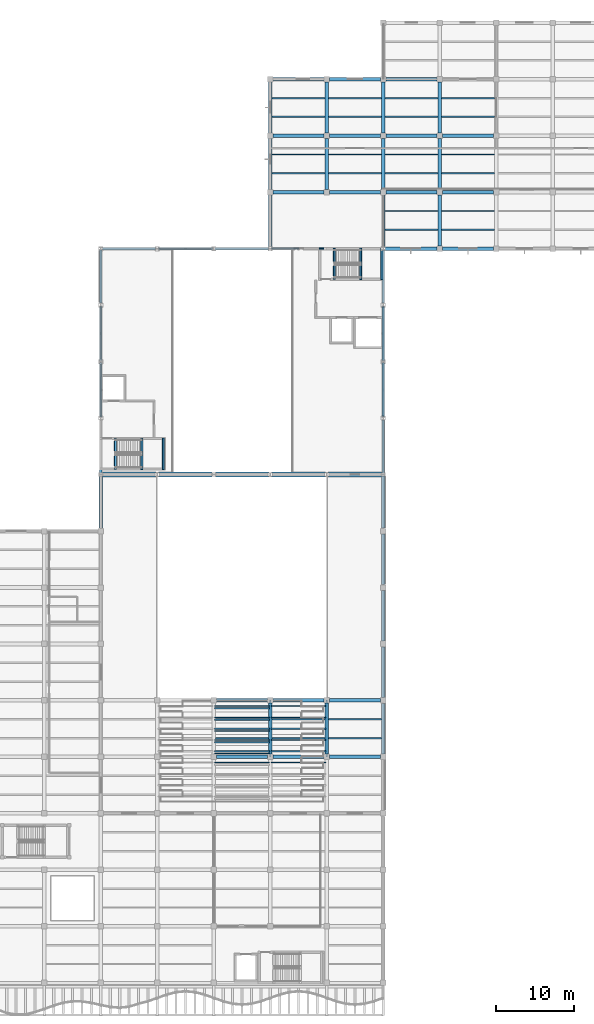
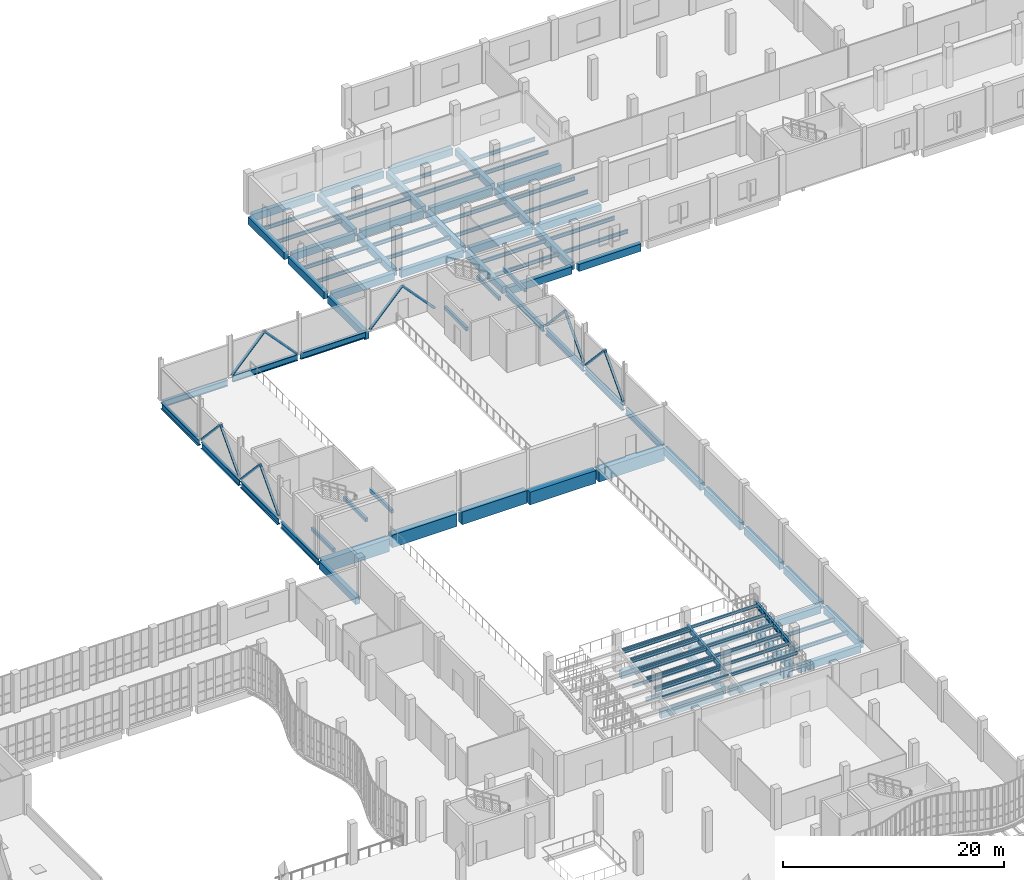
# One storey, part 45 of 108: 105 beams, 12 members.
"""IFC4 building model written with IfcOpenShell, lengths in metres."""

from ifc_helpers import new_model, si_unit, direction, frame, origin, origin_2d, place, context, subcontext, project, spatial, rectangle, hollow_circle, i_section, extrude, material, material_profile, profile_set, type_object, element, save


model = new_model("IFC4")

# Units and contexts
model_context = context("Model", 3, precision=1e-05, world=origin(), true_north=direction((0.0, 1.0)))
body_context = subcontext(model_context, "Body", "Model", "MODEL_VIEW")
ifc_project = project(units=[si_unit("LENGTHUNIT", "METRE"), si_unit("AREAUNIT", "SQUARE_METRE"), si_unit("VOLUMEUNIT", "CUBIC_METRE"), si_unit("PLANEANGLEUNIT", "RADIAN"), si_unit("MASSUNIT", "GRAM", prefix="KILO"), si_unit("THERMODYNAMICTEMPERATUREUNIT", "KELVIN"), si_unit("POWERUNIT", "WATT")], contexts=[model_context])

# Site, building, storey
site_placement = place(None, origin())
site = spatial("IfcSite", under=ifc_project, at=site_placement, CompositionType="ELEMENT")
building_placement = place(site_placement, origin())
building = spatial("IfcBuilding", under=site, at=building_placement, Name="Kaldorven Railside Theatre", CompositionType="ELEMENT")
storey_placement = place(building_placement, frame((0.0, 0.0, 5.39990234375)))
storey = spatial("IfcBuildingStorey", under=building, at=storey_placement, Name="L01", CompositionType="ELEMENT", Elevation=5.39990234375)

# Beams
ifc_material_1 = material(Name="Steel S355", Category="steel")
ifc_material_profile_1 = material_profile(ifc_material_1, i_section(OverallWidth=0.300048828125, OverallDepth=0.699951171875, WebThickness=0.01708984375, FlangeThickness=0.031982421875, at=origin_2d()), Name="HEB 700")
ifc_profile_set_1 = profile_set([ifc_material_profile_1], Name="Steel S355")
beam_type_1 = type_object("IfcBeamType", Name="BM-HEB700", PredefinedType="BEAM", material=ifc_profile_set_1)
for number, where, z_axis, x_axis, name in (
    (1, (87.199951171875, 84.186279296875, -0.64990234375), (0.0, 1.0, 0.0), (-1.0, 0.0, 0.0), "L01 Girder BGY-L01-087-084-72"),
    (2, (123.199951171875, 84.186279296875, -0.64990234375), (0.0, 1.0, 0.0), (-1.0, 0.0, 0.0), "L01 Girder BGY-L01-123-084-72"),
):
    element("IfcBeam", number, at=place(storey_placement, frame(where, z_axis=z_axis, x_axis=x_axis)), inside=storey, type_object=beam_type_1, Name=name, PredefinedType="BEAM", context=body_context, shape_type="SweptSolid", body=[
        extrude(i_section(OverallWidth=0.300048828125, OverallDepth=0.699951171875, WebThickness=0.01708984375, FlangeThickness=0.031982421875, at=origin_2d()), origin(), (0.0, 0.0, 1.0), 6.763671875),
    ])
for number, where, z_axis, x_axis, name in (
    (3, (87.199951171875, 91.449951171875, -0.599853515625), (0.0, 1.0, 0.0), (-1.0, 0.0, 0.0), "L01 Girder BGY-L01-087-091-72"),
    (4, (123.199951171875, 91.449951171875, -0.599853515625), (0.0, 1.0, 0.0), (-1.0, 0.0, 0.0), "L01 Girder BGY-L01-123-091-72"),
    (5, (87.199951171875, 98.550048828125, -0.599853515625), (0.0, 1.0, 0.0), (-1.0, 0.0, 0.0), "L01 Girder BGY-L01-087-098-72"),
    (6, (123.199951171875, 98.550048828125, -0.599853515625), (0.0, 1.0, 0.0), (-1.0, 0.0, 0.0), "L01 Girder BGY-L01-123-098-72"),
):
    element("IfcBeam", number, at=place(storey_placement, frame(where, z_axis=z_axis, x_axis=x_axis)), inside=storey, type_object=beam_type_1, Name=name, PredefinedType="BEAM", context=body_context, shape_type="SweptSolid", body=[
        extrude(i_section(OverallWidth=0.300048828125, OverallDepth=0.699951171875, WebThickness=0.01708984375, FlangeThickness=0.031982421875, at=origin_2d()), origin(), (0.0, 0.0, 1.0), 6.800048828125),
    ])
for number, where, z_axis, x_axis, name in (
    (7, (87.199951171875, 105.85009765625, -0.599853515625), (0.0, 1.0, 0.0), (-1.0, 0.0, 0.0), "L01 Girder BGY-L01-087-105-72"),
    (8, (123.199951171875, 105.85009765625, -0.6298828125), (0.0, 1.0, 0.0), (-1.0, 0.0, 0.0), "L01 Girder BGY-L01-123-105-72"),
):
    element("IfcBeam", number, at=place(storey_placement, frame(where, z_axis=z_axis, x_axis=x_axis)), inside=storey, type_object=beam_type_1, Name=name, PredefinedType="BEAM", context=body_context, shape_type="SweptSolid", body=[
        extrude(i_section(OverallWidth=0.300048828125, OverallDepth=0.699951171875, WebThickness=0.01708984375, FlangeThickness=0.031982421875, at=origin_2d()), origin(), (0.0, 0.0, 1.0), 6.765869140625),
    ])
beam_1_placement = place(storey_placement, frame((87.38623046875, 112.800048828125, -0.599853515625), z_axis=(1.0, 0.0, 0.0), x_axis=(0.0, 1.0, 0.0)))
element("IfcBeam", 9, at=beam_1_placement, inside=storey, type_object=beam_type_1, Name="L01 Girder BGX-L01-087-112", PredefinedType="BEAM", context=body_context, shape_type="SweptSolid", body=[
    extrude(i_section(OverallWidth=0.300048828125, OverallDepth=0.699951171875, WebThickness=0.01708984375, FlangeThickness=0.031982421875, at=origin_2d()), origin(), (0.0, 0.0, 1.0), 6.763671875),
])
for number, where, z_axis, x_axis, name in (
    (10, (94.64990234375, 112.800048828125, -0.349853515625), (1.0, 0.0, 0.0), (0.0, 1.0, 0.0), "L01 Girder BGX-L01-094-112"),
    (11, (101.75, 112.800048828125, -0.349853515625), (1.0, 0.0, 0.0), (0.0, 1.0, 0.0), "L01 Girder BGX-L01-101-112"),
):
    element("IfcBeam", number, at=place(storey_placement, frame(where, z_axis=z_axis, x_axis=x_axis)), inside=storey, type_object=beam_type_1, Name=name, PredefinedType="BEAM", context=body_context, shape_type="SweptSolid", body=[
        extrude(i_section(OverallWidth=0.300048828125, OverallDepth=0.699951171875, WebThickness=0.01708984375, FlangeThickness=0.031982421875, at=origin_2d()), origin(), (0.0, 0.0, 1.0), 6.800048828125),
    ])
ifc_material_profile_2 = material_profile(ifc_material_1, i_section(OverallWidth=0.14990234375, OverallDepth=0.300048828125, WebThickness=0.007080078125, FlangeThickness=0.0107421875, at=origin_2d()), Name="IPE 300")
ifc_profile_set_2 = profile_set([ifc_material_profile_2], Name="Steel S355")
beam_type_2 = type_object("IfcBeamType", Name="BM-IPE300", PredefinedType="JOIST", material=ifc_profile_set_2)
for number, where, z_axis, x_axis, name in (
    (12, (101.7099609375, 47.280029296875, 1.6201171875), (1.0, 0.0, 0.0), (0.0, 1.0, 0.0), "Seating Tier Transverse Bearer TBR-V1D-052"),
    (13, (108.909912109375, 47.280029296875, 1.6201171875), (1.0, 0.0, 0.0), (0.0, 1.0, 0.0), "Seating Tier Transverse Bearer TBR-V1D-053"),
    (14, (101.7099609375, 48.719970703125, 1.800048828125), (1.0, 0.0, 0.0), (0.0, 1.0, 0.0), "Seating Tier Transverse Bearer TBR-V1D-062"),
    (15, (108.909912109375, 48.719970703125, 1.800048828125), (1.0, 0.0, 0.0), (0.0, 1.0, 0.0), "Seating Tier Transverse Bearer TBR-V1D-063"),
    (16, (101.7099609375, 50.159912109375, 1.97998046875), (1.0, 0.0, 0.0), (0.0, 1.0, 0.0), "Seating Tier Transverse Bearer TBR-V1D-072"),
    (17, (108.909912109375, 50.159912109375, 1.97998046875), (1.0, 0.0, 0.0), (0.0, 1.0, 0.0), "Seating Tier Transverse Bearer TBR-V1D-073"),
    (18, (101.7099609375, 51.60009765625, 2.16015625), (1.0, 0.0, 0.0), (0.0, 1.0, 0.0), "Seating Tier Transverse Bearer TBR-V1D-082"),
    (19, (108.909912109375, 51.60009765625, 2.16015625), (1.0, 0.0, 0.0), (0.0, 1.0, 0.0), "Seating Tier Transverse Bearer TBR-V1D-083"),
    (20, (101.7099609375, 53.0400390625, 2.340087890625), (1.0, 0.0, 0.0), (0.0, 1.0, 0.0), "Seating Tier Transverse Bearer TBR-V1D-092"),
    (21, (108.909912109375, 53.0400390625, 2.340087890625), (1.0, 0.0, 0.0), (0.0, 1.0, 0.0), "Seating Tier Transverse Bearer TBR-V1D-093"),
    (22, (101.7099609375, 54.47998046875, 2.52001953125), (1.0, 0.0, 0.0), (0.0, 1.0, 0.0), "Seating Tier Transverse Bearer TBR-V1D-102"),
    (23, (108.909912109375, 54.47998046875, 2.52001953125), (1.0, 0.0, 0.0), (0.0, 1.0, 0.0), "Seating Tier Transverse Bearer TBR-V1D-103"),
):
    element("IfcBeam", number, at=place(storey_placement, frame(where, z_axis=z_axis, x_axis=x_axis)), inside=storey, type_object=beam_type_2, Name=name, PredefinedType="JOIST", context=body_context, shape_type="SweptSolid", body=[
        extrude(i_section(OverallWidth=0.14990234375, OverallDepth=0.300048828125, WebThickness=0.007080078125, FlangeThickness=0.0107421875, at=origin_2d()), origin(), (0.0, 0.0, 1.0), 6.97998046875),
    ])
ifc_material_profile_3 = material_profile(ifc_material_1, i_section(OverallWidth=0.169921875, OverallDepth=0.360107421875, WebThickness=0.008056640625, FlangeThickness=0.0126953125, at=origin_2d()), Name="IPE 360")
ifc_profile_set_3 = profile_set([ifc_material_profile_3], Name="Steel S355")
beam_type_3 = type_object("IfcBeamType", Name="BM-IPE360", PredefinedType="JOIST", material=ifc_profile_set_3)
for number, where, z_axis, x_axis, name in (
    (24, (101.7099609375, 48.431884765625, 1.77001953125), (1.0, 0.0, 0.0), (0.0, 1.0, 0.0), "Seating Tier Front Step Bearer TBF-V1D-06"),
    (25, (101.7099609375, 49.8720703125, 1.9501953125), (1.0, 0.0, 0.0), (0.0, 1.0, 0.0), "Seating Tier Front Step Bearer TBF-V1D-07"),
    (26, (101.7099609375, 51.31201171875, 2.130126953125), (1.0, 0.0, 0.0), (0.0, 1.0, 0.0), "Seating Tier Front Step Bearer TBF-V1D-08"),
    (27, (101.7099609375, 52.751953125, 2.31005859375), (1.0, 0.0, 0.0), (0.0, 1.0, 0.0), "Seating Tier Front Step Bearer TBF-V1D-09"),
    (28, (101.7099609375, 54.19189453125, 2.489990234375), (1.0, 0.0, 0.0), (0.0, 1.0, 0.0), "Seating Tier Front Step Bearer TBF-V1D-10"),
):
    element("IfcBeam", number, at=place(storey_placement, frame(where, z_axis=z_axis, x_axis=x_axis)), inside=storey, type_object=beam_type_3, Name=name, PredefinedType="JOIST", context=body_context, shape_type="SweptSolid", body=[
        extrude(i_section(OverallWidth=0.169921875, OverallDepth=0.360107421875, WebThickness=0.008056640625, FlangeThickness=0.0126953125, at=origin_2d()), origin(), (0.0, 0.0, 1.0), 6.97998046875),
    ])
ifc_material_profile_4 = material_profile(ifc_material_1, i_section(OverallWidth=0.179931640625, OverallDepth=0.39990234375, WebThickness=0.008544921875, FlangeThickness=0.013427734375, at=origin_2d()), Name="IPE 400")
ifc_profile_set_4 = profile_set([ifc_material_profile_4], Name="Steel S355")
beam_type_4 = type_object("IfcBeamType", Name="BM-IPE400", PredefinedType="JOIST", material=ifc_profile_set_4)
for number, where, z_axis, x_axis, name in (
    (29, (101.824951171875, 50.39990234375, -0.5), (1.0, 0.0, 0.0), (0.0, 1.0, 0.0), "L01 Secondary Floor Joist JG-L01-101-0504"),
    (30, (101.824951171875, 52.800048828125, -0.5), (1.0, 0.0, 0.0), (0.0, 1.0, 0.0), "L01 Secondary Floor Joist JG-L01-101-0528"),
    (31, (109.02490234375, 50.39990234375, -0.5), (1.0, 0.0, 0.0), (0.0, 1.0, 0.0), "L01 Secondary Floor Joist JG-L01-108-0504"),
    (32, (109.02490234375, 52.800048828125, -0.5), (1.0, 0.0, 0.0), (0.0, 1.0, 0.0), "L01 Secondary Floor Joist JG-L01-108-0528"),
    (33, (116.22509765625, 50.39990234375, -0.5), (1.0, 0.0, 0.0), (0.0, 1.0, 0.0), "L01 Secondary Floor Joist JG-L01-116-0504"),
    (34, (116.22509765625, 52.800048828125, -0.5), (1.0, 0.0, 0.0), (0.0, 1.0, 0.0), "L01 Secondary Floor Joist JG-L01-116-0528"),
    (35, (123.425048828125, 115.199951171875, -0.47998046875), (1.0, 0.0, 0.0), (0.0, 1.0, 0.0), "L01 Secondary Floor Joist JG-L01-123-1152"),
    (36, (123.425048828125, 117.60009765625, -0.47998046875), (1.0, 0.0, 0.0), (0.0, 1.0, 0.0), "L01 Secondary Floor Joist JG-L01-123-1176"),
    (37, (130.625, 115.199951171875, -0.47998046875), (1.0, 0.0, 0.0), (0.0, 1.0, 0.0), "L01 Secondary Floor Joist JG-L01-130-1152"),
    (38, (130.625, 117.60009765625, -0.47998046875), (1.0, 0.0, 0.0), (0.0, 1.0, 0.0), "L01 Secondary Floor Joist JG-L01-130-1176"),
    (39, (109.02490234375, 122.39990234375, -0.47998046875), (1.0, 0.0, 0.0), (0.0, 1.0, 0.0), "L01 Secondary Floor Joist JG-L01-108-1224"),
    (40, (109.02490234375, 124.800048828125, -0.47998046875), (1.0, 0.0, 0.0), (0.0, 1.0, 0.0), "L01 Secondary Floor Joist JG-L01-108-1248"),
    (41, (116.22509765625, 122.39990234375, -0.47998046875), (1.0, 0.0, 0.0), (0.0, 1.0, 0.0), "L01 Secondary Floor Joist JG-L01-116-1224"),
    (42, (116.22509765625, 124.800048828125, -0.47998046875), (1.0, 0.0, 0.0), (0.0, 1.0, 0.0), "L01 Secondary Floor Joist JG-L01-116-1248"),
    (43, (123.425048828125, 122.39990234375, -0.47998046875), (1.0, 0.0, 0.0), (0.0, 1.0, 0.0), "L01 Secondary Floor Joist JG-L01-123-1224"),
    (44, (123.425048828125, 124.800048828125, -0.47998046875), (1.0, 0.0, 0.0), (0.0, 1.0, 0.0), "L01 Secondary Floor Joist JG-L01-123-1248"),
    (45, (130.625, 122.39990234375, -0.47998046875), (1.0, 0.0, 0.0), (0.0, 1.0, 0.0), "L01 Secondary Floor Joist JG-L01-130-1224"),
    (46, (130.625, 124.800048828125, -0.47998046875), (1.0, 0.0, 0.0), (0.0, 1.0, 0.0), "L01 Secondary Floor Joist JG-L01-130-1248"),
    (47, (109.02490234375, 129.60009765625, -0.47998046875), (1.0, 0.0, 0.0), (0.0, 1.0, 0.0), "L01 Secondary Floor Joist JG-L01-108-1296"),
    (48, (109.02490234375, 132.0, -0.47998046875), (1.0, 0.0, 0.0), (0.0, 1.0, 0.0), "L01 Secondary Floor Joist JG-L01-108-1320"),
    (49, (116.22509765625, 129.60009765625, -0.47998046875), (1.0, 0.0, 0.0), (0.0, 1.0, 0.0), "L01 Secondary Floor Joist JG-L01-116-1296"),
    (50, (116.22509765625, 132.0, -0.47998046875), (1.0, 0.0, 0.0), (0.0, 1.0, 0.0), "L01 Secondary Floor Joist JG-L01-116-1320"),
    (51, (123.425048828125, 129.60009765625, -0.47998046875), (1.0, 0.0, 0.0), (0.0, 1.0, 0.0), "L01 Secondary Floor Joist JG-L01-123-1296"),
    (52, (123.425048828125, 132.0, -0.47998046875), (1.0, 0.0, 0.0), (0.0, 1.0, 0.0), "L01 Secondary Floor Joist JG-L01-123-1320"),
    (53, (130.625, 129.60009765625, -0.47998046875), (1.0, 0.0, 0.0), (0.0, 1.0, 0.0), "L01 Secondary Floor Joist JG-L01-130-1296"),
    (54, (130.625, 132.0, -0.47998046875), (1.0, 0.0, 0.0), (0.0, 1.0, 0.0), "L01 Secondary Floor Joist JG-L01-130-1320"),
):
    element("IfcBeam", number, at=place(storey_placement, frame(where, z_axis=z_axis, x_axis=x_axis)), inside=storey, type_object=beam_type_4, Name=name, PredefinedType="JOIST", context=body_context, shape_type="SweptSolid", body=[
        extrude(i_section(OverallWidth=0.179931640625, OverallDepth=0.39990234375, WebThickness=0.008544921875, FlangeThickness=0.013427734375, at=origin_2d()), origin(), (0.0, 0.0, 1.0), 6.75),
    ])
ifc_material_profile_5 = material_profile(ifc_material_1, i_section(OverallWidth=0.219970703125, OverallDepth=0.60009765625, WebThickness=0.011962890625, FlangeThickness=0.01904296875, at=origin_2d()), Name="IPE 600")
ifc_profile_set_5 = profile_set([ifc_material_profile_5], Name="Steel S355")
beam_type_5 = type_object("IfcBeamType", Name="BM-IPE600", PredefinedType="USERDEFINED", material=ifc_profile_set_5)
for number, where, z_axis, x_axis, name in (
    (55, (108.800048828125, 48.0, 1.52001953125), (0.0, 0.992275288289, 0.124055440233), (-1.0, 0.0, 0.0), "Auditorium Raker Girder RKG-V1D-32"),
    (56, (116.0, 48.0, 1.52001953125), (0.0, 0.992275288289, 0.124055440233), (-1.0, 0.0, 0.0), "Auditorium Raker Girder RKG-V1D-42"),
):
    element("IfcBeam", number, at=place(storey_placement, frame(where, z_axis=z_axis, x_axis=x_axis)), inside=storey, type_object=beam_type_5, Name=name, ObjectType="RAKER BEAM", PredefinedType="USERDEFINED", context=body_context, shape_type="SweptSolid", body=[
        extrude(i_section(OverallWidth=0.219970703125, OverallDepth=0.60009765625, WebThickness=0.011962890625, FlangeThickness=0.01904296875, at=origin_2d()), origin(), (0.0, 0.0, 1.0), 7.256103515625),
    ])
ifc_material_2 = material(Name="Concrete C40/50", Category="concrete")
ifc_material_profile_6 = material_profile(ifc_material_2, rectangle(XDim=0.25, YDim=0.39990234375, at=origin_2d()), Name="RC 250x400")
ifc_profile_set_6 = profile_set([ifc_material_profile_6], Name="Concrete C40/50")
beam_type_6 = type_object("IfcBeamType", Name="BM-RC250x400", PredefinedType="LINTEL", material=ifc_profile_set_6)
beam_2_placement = place(storey_placement, frame((89.050048828125, 84.669921875, -0.344970703125), z_axis=(0.0, 1.0, 0.0), x_axis=(-1.0, 0.0, 0.0)))
element("IfcBeam", 57, at=beam_2_placement, inside=storey, type_object=beam_type_6, Name="Stair ST-05 L01 Landing Trimmer Beam", PredefinedType="LINTEL", context=body_context, shape_type="SweptSolid", body=[
    extrude(rectangle(XDim=0.25, YDim=0.39990234375, at=origin_2d()), origin(), (0.0, 0.0, 1.0), 3.9599609375),
])
for number, where, z_axis, x_axis, name in (
    (58, (92.43505859375, 84.639892578125, 1.85009765625), (0.0, 1.0, 0.0), (-1.0, 0.0, 0.0), "Stair ST-05 L01 Half-Landing Bearer"),
    (59, (95.1298828125, 84.639892578125, 1.85009765625), (0.0, 1.0, 0.0), (-1.0, 0.0, 0.0), "Stair ST-05 L01 Half-Landing Bearer"),
):
    element("IfcBeam", number, at=place(storey_placement, frame(where, z_axis=z_axis, x_axis=x_axis)), inside=storey, type_object=beam_type_6, Name=name, PredefinedType="LINTEL", context=body_context, shape_type="SweptSolid", body=[
        extrude(rectangle(XDim=0.25, YDim=0.39990234375, at=origin_2d()), origin(), (0.0, 0.0, 1.0), 4.02001953125),
    ])
beam_3_placement = place(storey_placement, frame((116.949951171875, 108.8701171875, -0.344970703125), z_axis=(0.0, 1.0, 0.0), x_axis=(-1.0, 0.0, 0.0)))
element("IfcBeam", 60, at=beam_3_placement, inside=storey, type_object=beam_type_6, Name="Stair ST-06 L01 Landing Trimmer Beam", PredefinedType="LINTEL", context=body_context, shape_type="SweptSolid", body=[
    extrude(rectangle(XDim=0.25, YDim=0.39990234375, at=origin_2d()), origin(), (0.0, 0.0, 1.0), 3.9599609375),
])
for number, where, z_axis, x_axis, name in (
    (61, (120.3349609375, 108.840087890625, 1.85009765625), (0.0, 1.0, 0.0), (-1.0, 0.0, 0.0), "Stair ST-06 L01 Half-Landing Bearer"),
    (62, (123.030029296875, 108.840087890625, 1.85009765625), (0.0, 1.0, 0.0), (-1.0, 0.0, 0.0), "Stair ST-06 L01 Half-Landing Bearer"),
):
    element("IfcBeam", number, at=place(storey_placement, frame(where, z_axis=z_axis, x_axis=x_axis)), inside=storey, type_object=beam_type_6, Name=name, PredefinedType="LINTEL", context=body_context, shape_type="SweptSolid", body=[
        extrude(rectangle(XDim=0.25, YDim=0.39990234375, at=origin_2d()), origin(), (0.0, 0.0, 1.0), 4.02001953125),
    ])
ifc_material_profile_7 = material_profile(ifc_material_2, rectangle(XDim=0.449951171875, YDim=0.800048828125, at=origin_2d()), Name="RC 450x800")
ifc_profile_set_7 = profile_set([ifc_material_profile_7], Name="Concrete C40/50")
beam_type_7 = type_object("IfcBeamType", Name="BM-RC450x800", PredefinedType="BEAM", material=ifc_profile_set_7)
for number, where, z_axis, x_axis, name in (
    (63, (101.949951171875, 48.0, -0.699951171875), (1.0, 0.0, 0.0), (0.0, 1.0, 0.0), "L01 Girder BGX-L01-101-048"),
    (64, (109.14990234375, 48.0, -0.699951171875), (1.0, 0.0, 0.0), (0.0, 1.0, 0.0), "L01 Girder BGX-L01-108-048"),
    (65, (108.800048828125, 48.35009765625, -0.699951171875), (0.0, 1.0, 0.0), (-1.0, 0.0, 0.0), "L01 Girder BGY-L01-108-048-72"),
):
    element("IfcBeam", number, at=place(storey_placement, frame(where, z_axis=z_axis, x_axis=x_axis)), inside=storey, type_object=beam_type_7, Name=name, PredefinedType="BEAM", context=body_context, shape_type="SweptSolid", body=[
        extrude(rectangle(XDim=0.449951171875, YDim=0.800048828125, at=origin_2d()), origin(), (0.0, 0.0, 1.0), 6.5),
    ])
beam_4_placement = place(storey_placement, frame((116.35009765625, 48.0, -0.699951171875), z_axis=(1.0, 0.0, 0.0), x_axis=(0.0, 1.0, 0.0)))
element("IfcBeam", 66, at=beam_4_placement, inside=storey, type_object=beam_type_7, Name="L01 Girder BGX-L01-116-048", PredefinedType="BEAM", context=body_context, shape_type="SweptSolid", body=[
    extrude(rectangle(XDim=0.449951171875, YDim=0.800048828125, at=origin_2d()), origin(), (0.0, 0.0, 1.0), 6.474853515625),
])
beam_5_placement = place(storey_placement, frame((116.0, 48.35009765625, -0.699951171875), z_axis=(0.0, 1.0, 0.0), x_axis=(-1.0, 0.0, 0.0)))
element("IfcBeam", 67, at=beam_5_placement, inside=storey, type_object=beam_type_7, Name="L01 Girder BGY-L01-116-048-72", PredefinedType="BEAM", context=body_context, shape_type="SweptSolid", body=[
    extrude(rectangle(XDim=0.449951171875, YDim=0.800048828125, at=origin_2d()), origin(), (0.0, 0.0, 1.0), 6.5),
])
beam_6_placement = place(storey_placement, frame((123.199951171875, 48.375, -0.699951171875), z_axis=(0.0, 1.0, 0.0), x_axis=(-1.0, 0.0, 0.0)))
element("IfcBeam", 68, at=beam_6_placement, inside=storey, type_object=beam_type_7, Name="L01 Girder BGY-L01-123-048-72", PredefinedType="BEAM", context=body_context, shape_type="SweptSolid", body=[
    extrude(rectangle(XDim=0.449951171875, YDim=0.800048828125, at=origin_2d()), origin(), (0.0, 0.0, 1.0), 6.449951171875),
])
for number, where, z_axis, x_axis, name in (
    (69, (101.949951171875, 55.199951171875, -0.699951171875), (1.0, 0.0, 0.0), (0.0, 1.0, 0.0), "L01 Girder BGX-L01-101-055"),
    (70, (109.14990234375, 55.199951171875, -0.699951171875), (1.0, 0.0, 0.0), (0.0, 1.0, 0.0), "L01 Girder BGX-L01-108-055"),
):
    element("IfcBeam", number, at=place(storey_placement, frame(where, z_axis=z_axis, x_axis=x_axis)), inside=storey, type_object=beam_type_7, Name=name, PredefinedType="BEAM", context=body_context, shape_type="SweptSolid", body=[
        extrude(rectangle(XDim=0.449951171875, YDim=0.800048828125, at=origin_2d()), origin(), (0.0, 0.0, 1.0), 6.5),
    ])
beam_7_placement = place(storey_placement, frame((116.35009765625, 55.199951171875, -0.699951171875), z_axis=(1.0, 0.0, 0.0), x_axis=(0.0, 1.0, 0.0)))
element("IfcBeam", 71, at=beam_7_placement, inside=storey, type_object=beam_type_7, Name="L01 Girder BGX-L01-116-055", PredefinedType="BEAM", context=body_context, shape_type="SweptSolid", body=[
    extrude(rectangle(XDim=0.449951171875, YDim=0.800048828125, at=origin_2d()), origin(), (0.0, 0.0, 1.0), 6.474853515625),
])
beam_8_placement = place(storey_placement, frame((123.199951171875, 55.574951171875, -0.699951171875), z_axis=(0.0, 1.0, 0.0), x_axis=(-1.0, 0.0, 0.0)))
element("IfcBeam", 72, at=beam_8_placement, inside=storey, type_object=beam_type_7, Name="L01 Girder BGY-L01-123-055-72", PredefinedType="BEAM", context=body_context, shape_type="SweptSolid", body=[
    extrude(rectangle(XDim=0.449951171875, YDim=0.800048828125, at=origin_2d()), origin(), (0.0, 0.0, 1.0), 6.449951171875),
])
beam_9_placement = place(storey_placement, frame((123.199951171875, 62.77490234375, -0.699951171875), z_axis=(0.0, 1.0, 0.0), x_axis=(-1.0, 0.0, 0.0)))
element("IfcBeam", 73, at=beam_9_placement, inside=storey, type_object=beam_type_7, Name="L01 Girder BGY-L01-123-062-72", PredefinedType="BEAM", context=body_context, shape_type="SweptSolid", body=[
    extrude(rectangle(XDim=0.449951171875, YDim=0.800048828125, at=origin_2d()), origin(), (0.0, 0.0, 1.0), 6.4501953125),
])
beam_10_placement = place(storey_placement, frame((123.199951171875, 69.97509765625, -0.699951171875), z_axis=(0.0, 1.0, 0.0), x_axis=(-1.0, 0.0, 0.0)))
element("IfcBeam", 74, at=beam_10_placement, inside=storey, type_object=beam_type_7, Name="L01 Girder BGY-L01-123-069-72", PredefinedType="BEAM", context=body_context, shape_type="SweptSolid", body=[
    extrude(rectangle(XDim=0.449951171875, YDim=0.800048828125, at=origin_2d()), origin(), (0.0, 0.0, 1.0), 6.449951171875),
])
for number, where, z_axis, x_axis, name in (
    (75, (87.199951171875, 77.175048828125, -0.699951171875), (0.0, 1.0, 0.0), (-1.0, 0.0, 0.0), "L01 Girder BGY-L01-087-076-72"),
    (76, (123.199951171875, 77.175048828125, -0.699951171875), (0.0, 1.0, 0.0), (-1.0, 0.0, 0.0), "L01 Girder BGY-L01-123-076-72"),
):
    element("IfcBeam", number, at=place(storey_placement, frame(where, z_axis=z_axis, x_axis=x_axis)), inside=storey, type_object=beam_type_7, Name=name, PredefinedType="BEAM", context=body_context, shape_type="SweptSolid", body=[
        extrude(rectangle(XDim=0.449951171875, YDim=0.800048828125, at=origin_2d()), origin(), (0.0, 0.0, 1.0), 6.638671875),
    ])
beam_11_placement = place(storey_placement, frame((108.800048828125, 112.949951171875, -0.679931640625), z_axis=(0.0, 1.0, 0.0), x_axis=(-1.0, 0.0, 0.0)))
element("IfcBeam", 77, at=beam_11_placement, inside=storey, type_object=beam_type_7, Name="L01 Girder BGY-L01-108-112-72", PredefinedType="BEAM", context=body_context, shape_type="SweptSolid", body=[
    extrude(rectangle(XDim=0.449951171875, YDim=0.800048828125, at=origin_2d()), origin(), (0.0, 0.0, 1.0), 6.699951171875),
])
beam_12_placement = place(storey_placement, frame((123.38623046875, 112.800048828125, -0.679931640625), z_axis=(1.0, 0.0, 0.0), x_axis=(0.0, 1.0, 0.0)))
element("IfcBeam", 78, at=beam_12_placement, inside=storey, type_object=beam_type_7, Name="L01 Girder BGX-L01-123-112", PredefinedType="BEAM", context=body_context, shape_type="SweptSolid", body=[
    extrude(rectangle(XDim=0.449951171875, YDim=0.800048828125, at=origin_2d()), origin(), (0.0, 0.0, 1.0), 6.663818359375),
])
beam_13_placement = place(storey_placement, frame((123.199951171875, 112.984130859375, -0.679931640625), z_axis=(0.0, 1.0, 0.0), x_axis=(-1.0, 0.0, 0.0)))
element("IfcBeam", 79, at=beam_13_placement, inside=storey, type_object=beam_type_7, Name="L01 Girder BGY-L01-123-112-72", PredefinedType="BEAM", context=body_context, shape_type="SweptSolid", body=[
    extrude(rectangle(XDim=0.449951171875, YDim=0.800048828125, at=origin_2d()), origin(), (0.0, 0.0, 1.0), 6.665771484375),
])
for number, where, z_axis, x_axis, name in (
    (80, (130.75, 112.800048828125, -0.679931640625), (1.0, 0.0, 0.0), (0.0, 1.0, 0.0), "L01 Girder BGX-L01-130-112"),
    (81, (130.39990234375, 113.14990234375, -0.679931640625), (0.0, 1.0, 0.0), (-1.0, 0.0, 0.0), "L01 Girder BGY-L01-130-112-72"),
    (82, (109.14990234375, 120.0, -0.679931640625), (1.0, 0.0, 0.0), (0.0, 1.0, 0.0), "L01 Girder BGX-L01-108-120"),
    (83, (108.800048828125, 120.35009765625, -0.679931640625), (0.0, 1.0, 0.0), (-1.0, 0.0, 0.0), "L01 Girder BGY-L01-108-120-72"),
    (84, (116.35009765625, 120.0, -0.679931640625), (1.0, 0.0, 0.0), (0.0, 1.0, 0.0), "L01 Girder BGX-L01-116-120"),
    (85, (116.0, 120.35009765625, -0.679931640625), (0.0, 1.0, 0.0), (-1.0, 0.0, 0.0), "L01 Girder BGY-L01-116-120-72"),
    (86, (123.550048828125, 120.0, -0.679931640625), (1.0, 0.0, 0.0), (0.0, 1.0, 0.0), "L01 Girder BGX-L01-123-120"),
    (87, (123.199951171875, 120.35009765625, -0.679931640625), (0.0, 1.0, 0.0), (-1.0, 0.0, 0.0), "L01 Girder BGY-L01-123-120-72"),
    (88, (130.75, 120.0, -0.679931640625), (1.0, 0.0, 0.0), (0.0, 1.0, 0.0), "L01 Girder BGX-L01-130-120"),
    (89, (130.39990234375, 120.35009765625, -0.679931640625), (0.0, 1.0, 0.0), (-1.0, 0.0, 0.0), "L01 Girder BGY-L01-130-120-72"),
    (90, (109.14990234375, 127.199951171875, -0.679931640625), (1.0, 0.0, 0.0), (0.0, 1.0, 0.0), "L01 Girder BGX-L01-108-127"),
    (91, (108.800048828125, 127.550048828125, -0.679931640625), (0.0, 1.0, 0.0), (-1.0, 0.0, 0.0), "L01 Girder BGY-L01-108-127-72"),
    (92, (116.35009765625, 127.199951171875, -0.679931640625), (1.0, 0.0, 0.0), (0.0, 1.0, 0.0), "L01 Girder BGX-L01-116-127"),
    (93, (116.0, 127.550048828125, -0.679931640625), (0.0, 1.0, 0.0), (-1.0, 0.0, 0.0), "L01 Girder BGY-L01-116-127-72"),
    (94, (123.550048828125, 127.199951171875, -0.679931640625), (1.0, 0.0, 0.0), (0.0, 1.0, 0.0), "L01 Girder BGX-L01-123-127"),
    (95, (123.199951171875, 127.550048828125, -0.679931640625), (0.0, 1.0, 0.0), (-1.0, 0.0, 0.0), "L01 Girder BGY-L01-123-127-72"),
    (96, (130.75, 127.199951171875, -0.679931640625), (1.0, 0.0, 0.0), (0.0, 1.0, 0.0), "L01 Girder BGX-L01-130-127"),
    (97, (130.39990234375, 127.550048828125, -0.679931640625), (0.0, 1.0, 0.0), (-1.0, 0.0, 0.0), "L01 Girder BGY-L01-130-127-72"),
    (98, (109.14990234375, 134.39990234375, -0.679931640625), (1.0, 0.0, 0.0), (0.0, 1.0, 0.0), "L01 Girder BGX-L01-108-134"),
    (99, (116.35009765625, 134.39990234375, -0.679931640625), (1.0, 0.0, 0.0), (0.0, 1.0, 0.0), "L01 Girder BGX-L01-116-134"),
    (100, (123.550048828125, 134.39990234375, -0.679931640625), (1.0, 0.0, 0.0), (0.0, 1.0, 0.0), "L01 Girder BGX-L01-123-134"),
):
    element("IfcBeam", number, at=place(storey_placement, frame(where, z_axis=z_axis, x_axis=x_axis)), inside=storey, type_object=beam_type_7, Name=name, PredefinedType="BEAM", context=body_context, shape_type="SweptSolid", body=[
        extrude(rectangle(XDim=0.449951171875, YDim=0.800048828125, at=origin_2d()), origin(), (0.0, 0.0, 1.0), 6.5),
    ])
ifc_material_profile_8 = material_profile(ifc_material_2, rectangle(XDim=0.64990234375, YDim=1.39990234375, at=origin_2d()), Name="RC 650x1400")
ifc_profile_set_8 = profile_set([ifc_material_profile_8], Name="Concrete C40/50")
beam_type_8 = type_object("IfcBeamType", Name="BM-RC650x1400", PredefinedType="BEAM", material=ifc_profile_set_8)
beam_14_placement = place(storey_placement, frame((87.384033203125, 84.0, -1.0), z_axis=(1.0, 0.0, 0.0), x_axis=(0.0, 1.0, 0.0)))
element("IfcBeam", 101, at=beam_14_placement, inside=storey, type_object=beam_type_8, Name="L01 Girder BGX-L01-087-084", PredefinedType="BEAM", context=body_context, shape_type="SweptSolid", body=[
    extrude(rectangle(XDim=0.64990234375, YDim=1.39990234375, at=origin_2d()), origin(), (0.0, 0.0, 1.0), 6.865966796875),
])
beam_15_placement = place(storey_placement, frame((94.550048828125, 84.0, -0.699951171875), z_axis=(1.0, 0.0, 0.0), x_axis=(0.0, 1.0, 0.0)))
element("IfcBeam", 102, at=beam_15_placement, inside=storey, type_object=beam_type_8, Name="L01 Girder BGX-L01-094-084", PredefinedType="BEAM", context=body_context, shape_type="SweptSolid", body=[
    extrude(rectangle(XDim=0.64990234375, YDim=1.39990234375, at=origin_2d()), origin(), (0.0, 0.0, 1.0), 6.800048828125),
])
beam_16_placement = place(storey_placement, frame((101.85009765625, 84.0, -0.699951171875), z_axis=(1.0, 0.0, 0.0), x_axis=(0.0, 1.0, 0.0)))
element("IfcBeam", 103, at=beam_16_placement, inside=storey, type_object=beam_type_8, Name="L01 Girder BGX-L01-101-084", PredefinedType="BEAM", context=body_context, shape_type="SweptSolid", body=[
    extrude(rectangle(XDim=0.64990234375, YDim=1.39990234375, at=origin_2d()), origin(), (0.0, 0.0, 1.0), 6.7998046875),
])
beam_17_placement = place(storey_placement, frame((108.949951171875, 84.0, -1.0), z_axis=(1.0, 0.0, 0.0), x_axis=(0.0, 1.0, 0.0)))
element("IfcBeam", 104, at=beam_17_placement, inside=storey, type_object=beam_type_8, Name="L01 Girder BGX-L01-108-084", PredefinedType="BEAM", context=body_context, shape_type="SweptSolid", body=[
    extrude(rectangle(XDim=0.64990234375, YDim=1.39990234375, at=origin_2d()), origin(), (0.0, 0.0, 1.0), 6.900146484375),
])
beam_18_placement = place(storey_placement, frame((116.14990234375, 84.0, -1.0), z_axis=(1.0, 0.0, 0.0), x_axis=(0.0, 1.0, 0.0)))
element("IfcBeam", 105, at=beam_18_placement, inside=storey, type_object=beam_type_8, Name="L01 Girder BGX-L01-116-084", PredefinedType="BEAM", context=body_context, shape_type="SweptSolid", body=[
    extrude(rectangle(XDim=0.64990234375, YDim=1.39990234375, at=origin_2d()), origin(), (0.0, 0.0, 1.0), 6.865966796875),
])

# Members
ifc_material_profile_9 = material_profile(ifc_material_1, hollow_circle(Radius=0.136474609375, WallThickness=0.012451171875, at=origin_2d()), Name="CHS 273x12.5")
ifc_profile_set_9 = profile_set([ifc_material_profile_9], Name="Steel S355")
member_type = type_object("IfcMemberType", Name="MEM-CHS273", PredefinedType="BRACE", material=ifc_profile_set_9)
member_1_placement = place(storey_placement, frame((87.199951171875, 91.419921875, 0.0400390625), z_axis=(0.0, 0.680451099367, 0.732793491626), x_axis=(-1.0, 0.0, 0.0)))
element("IfcMember", 106, at=member_1_placement, inside=storey, type_object=member_type, Name="Fly-Tower Concentric Chevron Brace BR-001", PredefinedType="BRACE", context=body_context, shape_type="SweptSolid", body=[
    extrude(hollow_circle(Radius=0.136474609375, WallThickness=0.012451171875, at=origin_2d()), origin(), (0.0, 0.0, 1.0), 4.967529296875),
])
for number, where, z_axis, x_axis, name in (
    (107, (87.199951171875, 98.179931640625, 0.0400390625), (0.0, -0.680424706355, 0.732817998538), (1.0, 0.0, 0.0), "Fly-Tower Concentric Chevron Brace BR-002"),
    (108, (87.199951171875, 98.6201171875, 0.0400390625), (0.0, 0.680424706355, 0.732817998538), (-1.0, 0.0, 0.0), "Fly-Tower Concentric Chevron Brace BR-003"),
    (109, (87.199951171875, 105.3798828125, 0.0400390625), (0.0, -0.680424706355, 0.732817998538), (1.0, 0.0, 0.0), "Fly-Tower Concentric Chevron Brace BR-004"),
):
    element("IfcMember", number, at=place(storey_placement, frame(where, z_axis=z_axis, x_axis=x_axis)), inside=storey, type_object=member_type, Name=name, PredefinedType="BRACE", context=body_context, shape_type="SweptSolid", body=[
        extrude(hollow_circle(Radius=0.136474609375, WallThickness=0.012451171875, at=origin_2d()), origin(), (0.0, 0.0, 1.0), 4.96728515625),
    ])
member_2_placement = place(storey_placement, frame((123.199951171875, 91.419921875, 0.0400390625), z_axis=(0.0, 0.680451099367, 0.732793491626), x_axis=(-1.0, 0.0, 0.0)))
element("IfcMember", 110, at=member_2_placement, inside=storey, type_object=member_type, Name="Fly-Tower Concentric Chevron Brace BR-005", PredefinedType="BRACE", context=body_context, shape_type="SweptSolid", body=[
    extrude(hollow_circle(Radius=0.136474609375, WallThickness=0.012451171875, at=origin_2d()), origin(), (0.0, 0.0, 1.0), 4.967529296875),
])
for number, where, z_axis, x_axis, name in (
    (111, (123.199951171875, 98.179931640625, 0.0400390625), (0.0, -0.680424706355, 0.732817998538), (1.0, 0.0, 0.0), "Fly-Tower Concentric Chevron Brace BR-006"),
    (112, (123.199951171875, 98.6201171875, 0.0400390625), (0.0, 0.680424706355, 0.732817998538), (-1.0, 0.0, 0.0), "Fly-Tower Concentric Chevron Brace BR-007"),
    (113, (123.199951171875, 105.3798828125, 0.0400390625), (0.0, -0.680424706355, 0.732817998538), (1.0, 0.0, 0.0), "Fly-Tower Concentric Chevron Brace BR-008"),
    (114, (94.6201171875, 112.800048828125, 0.0400390625), (0.680424706355, 0.0, 0.732817998538), (0.0, 1.0, 0.0), "Fly-Tower Concentric Chevron Brace BR-009"),
    (115, (101.3798828125, 112.800048828125, 0.0400390625), (-0.680424706355, 0.0, 0.732817998538), (0.0, -1.0, 0.0), "Fly-Tower Concentric Chevron Brace BR-010"),
    (116, (109.02001953125, 112.800048828125, 0.0400390625), (0.680424706355, 0.0, 0.732817998538), (0.0, 1.0, 0.0), "Fly-Tower Concentric Chevron Brace BR-011"),
):
    element("IfcMember", number, at=place(storey_placement, frame(where, z_axis=z_axis, x_axis=x_axis)), inside=storey, type_object=member_type, Name=name, PredefinedType="BRACE", context=body_context, shape_type="SweptSolid", body=[
        extrude(hollow_circle(Radius=0.136474609375, WallThickness=0.012451171875, at=origin_2d()), origin(), (0.0, 0.0, 1.0), 4.96728515625),
    ])
member_3_placement = place(storey_placement, frame((115.780029296875, 112.800048828125, 0.0400390625), z_axis=(-0.680451099367, 0.0, 0.732793491626), x_axis=(0.0, -1.0, 0.0)))
element("IfcMember", 117, at=member_3_placement, inside=storey, type_object=member_type, Name="Fly-Tower Concentric Chevron Brace BR-012", PredefinedType="BRACE", context=body_context, shape_type="SweptSolid", body=[
    extrude(hollow_circle(Radius=0.136474609375, WallThickness=0.012451171875, at=origin_2d()), origin(), (0.0, 0.0, 1.0), 4.967529296875),
])

save(model, "model.ifc")
